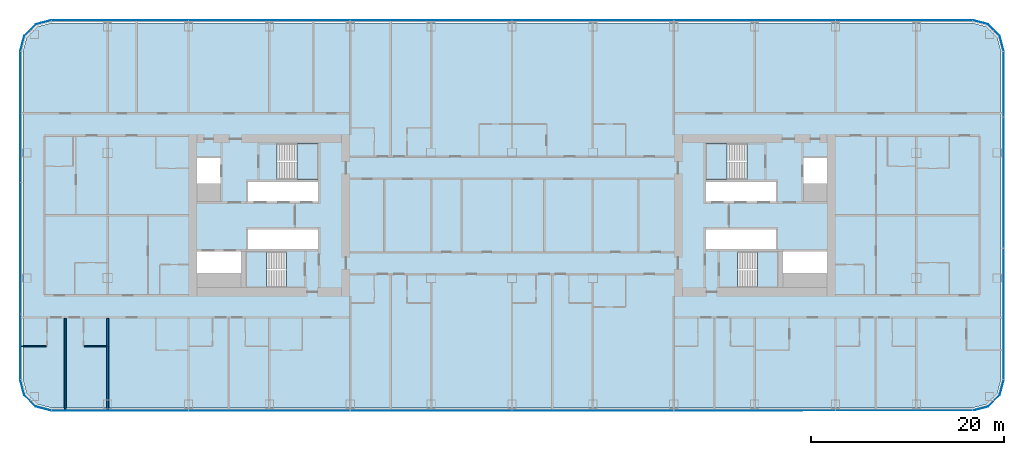
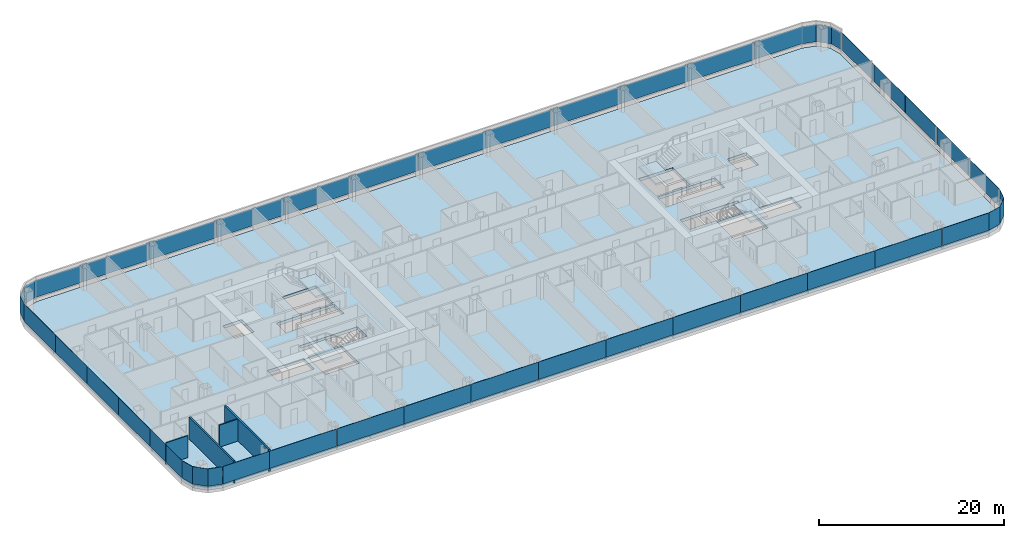
# One storey, part 12 of 29: 38 plates, 5 slabs, 4 walls, 12 elements without a shape of their own.
"""IFC4 building model written with IfcOpenShell, lengths in metres."""

from ifc_helpers import new_model, si_unit, direction, frame, frame_2d, origin, origin_2d, place, context, subcontext, project, spatial, polyline, rectangle, outline, extrude, material, layer, layer_set, type_object, element, aggregate, save


model = new_model("IFC4")

# Units and contexts
model_context = context("Model", 3, precision=1e-05, world=origin(), true_north=direction((0.0, 1.0)))
body_context = subcontext(model_context, "Body", "Model", "MODEL_VIEW")
ifc_project = project(units=[si_unit("LENGTHUNIT", "METRE"), si_unit("AREAUNIT", "SQUARE_METRE"), si_unit("VOLUMEUNIT", "CUBIC_METRE"), si_unit("PLANEANGLEUNIT", "RADIAN"), si_unit("MASSUNIT", "GRAM", prefix="KILO")], contexts=[model_context])

# Site, building, storey
site_placement = place(None, origin())
site = spatial("IfcSite", under=ifc_project, at=site_placement, CompositionType="ELEMENT")
building_placement = place(site_placement, origin())
building = spatial("IfcBuilding", under=site, at=building_placement, Name="Hakoniwa Tower and Hamabe Station Hall", CompositionType="ELEMENT")
storey_placement = place(building_placement, frame((0.0, 0.0, 61.39990234375)))
storey = spatial("IfcBuildingStorey", under=building, at=storey_placement, Name="L17", CompositionType="ELEMENT", Elevation=61.39990234375)

# Stair, slab
ifc_material_1 = material(Name="Concrete C40", Category="concrete")
stair_type = type_object("IfcStairType", Name="ESCAPE STAIR 1800", PredefinedType="HALF_TURN_STAIR", material=ifc_material_1)
stair_1_placement = place(storey_placement, origin())
stair_1 = element("IfcStair", 1, at=stair_1_placement, inside=storey, type_object=stair_type, Name="Escape stair ST-1 L17", PredefinedType="HALF_TURN_STAIR")
ifc_material_2 = material(Name="Concrete C40", Category="concrete")
ifc_layer_1 = layer(ifc_material_2, 0.25)
ifc_layer_set_1 = layer_set([ifc_layer_1], Name="CORE STAIR LANDING 250")
slab_type_1 = type_object("IfcSlabType", Name="CORE STAIR LANDING 250", PredefinedType="LANDING", material=ifc_layer_set_1)
slab_1_placement = place(storey_placement, frame((0.0, 0.0, 1.35009765625)))
slab_1 = element("IfcSlab", 2, at=slab_1_placement, type_object=slab_type_1, Name="ST-1 landing 1", PredefinedType="LANDING", context=body_context, shape_type="SweptSolid", body=[
    extrude(outline(polyline([(-22.320068359375, 3.75), (-20.14990234375, 3.75), (-20.14990234375, 7.5), (-22.320068359375, 7.5), (-22.320068359375, 3.75)])), origin(), (0.0, 0.0, 1.0), 0.25),
])
aggregate(stair_1, [slab_1])

stair_2_placement = place(storey_placement, origin())
stair_2 = element("IfcStair", 3, at=stair_2_placement, inside=storey, type_object=stair_type, Name="Escape stair ST-2 L17", PredefinedType="HALF_TURN_STAIR")
slab_2_placement = place(storey_placement, frame((0.0, 0.0, 1.35009765625)))
slab_2 = element("IfcSlab", 4, at=slab_2_placement, type_object=slab_type_1, Name="ST-2 landing 1", PredefinedType="LANDING", context=body_context, shape_type="SweptSolid", body=[
    extrude(outline(polyline([(-25.47998046875, -7.5), (-27.64990234375, -7.5), (-27.64990234375, -3.75), (-25.47998046875, -3.75), (-25.47998046875, -7.5)])), origin(), (0.0, 0.0, 1.0), 0.25),
])
aggregate(stair_2, [slab_2])

stair_3_placement = place(storey_placement, origin())
stair_3 = element("IfcStair", 5, at=stair_3_placement, inside=storey, type_object=stair_type, Name="Escape stair ST-3 L17", PredefinedType="HALF_TURN_STAIR")
slab_3_placement = place(storey_placement, frame((0.0, 0.0, 1.35009765625)))
slab_3 = element("IfcSlab", 6, at=slab_3_placement, type_object=slab_type_1, Name="ST-3 landing 1", PredefinedType="LANDING", context=body_context, shape_type="SweptSolid", body=[
    extrude(outline(polyline([(22.320068359375, 3.75), (20.14990234375, 3.75), (20.14990234375, 7.5), (22.320068359375, 7.5), (22.320068359375, 3.75)])), origin(), (0.0, 0.0, 1.0), 0.25),
])
aggregate(stair_3, [slab_3])

stair_4_placement = place(storey_placement, origin())
stair_4 = element("IfcStair", 7, at=stair_4_placement, inside=storey, type_object=stair_type, Name="Escape stair ST-4 L17", PredefinedType="HALF_TURN_STAIR")
slab_4_placement = place(storey_placement, frame((0.0, 0.0, 1.35009765625)))
slab_4 = element("IfcSlab", 8, at=slab_4_placement, type_object=slab_type_1, Name="ST-4 landing 1", PredefinedType="LANDING", context=body_context, shape_type="SweptSolid", body=[
    extrude(outline(polyline([(25.47998046875, -7.5), (27.64990234375, -7.5), (27.64990234375, -3.75), (25.47998046875, -3.75), (25.47998046875, -7.5)])), origin(), (0.0, 0.0, 1.0), 0.25),
])
aggregate(stair_4, [slab_4])

# Curtain wall, plates
ifc_material_3 = material(Name="Dark low-e laminated glass", Category="glass")
ifc_layer_2 = layer(ifc_material_3, 0.199951171875)
ifc_layer_set_2 = layer_set([ifc_layer_2], Name="CW-1 UNITISED GUEST")
curtain_wall_type = type_object("IfcCurtainWallType", Name="CW-1 UNITISED GUEST", PredefinedType="NOTDEFINED", material=ifc_layer_set_2)
curtain_wall_1_placement = place(storey_placement, origin())
curtain_wall_1 = element("IfcCurtainWall", 9, at=curtain_wall_1_placement, inside=storey, type_object=curtain_wall_type, Name="CW-1 curtain wall", PredefinedType="NOTDEFINED")
ifc_material_4 = material(Name="Dark low-e laminated glass", Category="glass")
ifc_layer_3 = layer(ifc_material_4, 0.028076171875)
ifc_layer_set_3 = layer_set([ifc_layer_3], Name="CW-1 GLASS UNIT")
plate_type = type_object("IfcPlateType", Name="CW-1 GLASS UNIT", PredefinedType="CURTAIN_PANEL", material=ifc_layer_set_3)
plate_1_placement = place(storey_placement, frame((51.0859375, -13.631591796875, 0.35009765625), z_axis=(0.0, 0.0, 1.0), x_axis=(0.0, 1.0, 0.0)))
plate_1 = element("IfcPlate", 10, at=plate_1_placement, type_object=plate_type, Name="CW-1 glass unit", PredefinedType="CURTAIN_PANEL", context=body_context, shape_type="SweptSolid", body=[
    extrude(rectangle(XDim=6.7958984375, YDim=0.028076171875, at=origin_2d()), origin(), (0.0, 0.0, 1.0), 2.300048828125),
])
plate_2_placement = place(storey_placement, frame((51.0859375, -6.81591796875, 0.35009765625), z_axis=(0.0, 0.0, 1.0), x_axis=(0.0, 1.0, 0.0)))
plate_2 = element("IfcPlate", 11, at=plate_2_placement, type_object=plate_type, Name="CW-1 glass unit", PredefinedType="CURTAIN_PANEL", context=body_context, shape_type="SweptSolid", body=[
    extrude(rectangle(XDim=6.7958984375, YDim=0.028076171875, at=origin_2d()), origin(), (0.0, 0.0, 1.0), 2.300048828125),
])
plate_3_placement = place(storey_placement, frame((51.0859375, 0.0, 0.35009765625), z_axis=(0.0, 0.0, 1.0), x_axis=(0.0, 1.0, 0.0)))
plate_3 = element("IfcPlate", 12, at=plate_3_placement, type_object=plate_type, Name="CW-1 glass unit", PredefinedType="CURTAIN_PANEL", context=body_context, shape_type="SweptSolid", body=[
    extrude(rectangle(XDim=6.7958984375, YDim=0.028076171875, at=origin_2d()), origin(), (0.0, 0.0, 1.0), 2.300048828125),
])
plate_4_placement = place(storey_placement, frame((51.0859375, 6.81591796875, 0.35009765625), z_axis=(0.0, 0.0, 1.0), x_axis=(0.0, 1.0, 0.0)))
plate_4 = element("IfcPlate", 13, at=plate_4_placement, type_object=plate_type, Name="CW-1 glass unit", PredefinedType="CURTAIN_PANEL", context=body_context, shape_type="SweptSolid", body=[
    extrude(rectangle(XDim=6.7958984375, YDim=0.028076171875, at=origin_2d()), origin(), (0.0, 0.0, 1.0), 2.300048828125),
])
plate_5_placement = place(storey_placement, frame((51.0859375, 13.631591796875, 0.35009765625), z_axis=(0.0, 0.0, 1.0), x_axis=(0.0, 1.0, 0.0)))
plate_5 = element("IfcPlate", 14, at=plate_5_placement, type_object=plate_type, Name="CW-1 glass unit", PredefinedType="CURTAIN_PANEL", context=body_context, shape_type="SweptSolid", body=[
    extrude(rectangle(XDim=6.7958984375, YDim=0.028076171875, at=origin_2d()), origin(), (0.0, 0.0, 1.0), 2.300048828125),
])
aggregate(curtain_wall_1, [plate_1, plate_2, plate_3, plate_4, plate_5])

# Curtain wall, plate
curtain_wall_2_placement = place(storey_placement, origin())
curtain_wall_2 = element("IfcCurtainWall", 15, at=curtain_wall_2_placement, inside=storey, type_object=curtain_wall_type, Name="CW-1 curtain wall", PredefinedType="NOTDEFINED")
plate_6_placement = place(storey_placement, frame((0.0, 0.0, 0.35009765625)))
plate_6 = element("IfcPlate", 16, at=plate_6_placement, type_object=plate_type, Name="CW-1 curved corner unit", PredefinedType="CURTAIN_PANEL", context=body_context, shape_type="SweptSolid", body=[
    extrude(outline(polyline([(51.089599609375, 17.078125), (50.6669921875, 18.6552734375), (49.455322265625, 19.866943359375), (47.878173828125, 20.28955078125), (47.870849609375, 20.2626953125), (49.44091796875, 19.842041015625), (50.641845703125, 18.640869140625), (51.0625, 17.07080078125), (51.089599609375, 17.078125)])), origin(), (0.0, 0.0, 1.0), 2.300048828125),
])
aggregate(curtain_wall_2, [plate_6])

# Curtain wall, plates
curtain_wall_3_placement = place(storey_placement, origin())
curtain_wall_3 = element("IfcCurtainWall", 17, at=curtain_wall_3_placement, inside=storey, type_object=curtain_wall_type, Name="CW-1 curtain wall", PredefinedType="NOTDEFINED")
plate_7_placement = place(storey_placement, frame((44.919677734375, 20.285888671875, 0.35009765625), z_axis=(0.0, 0.0, 1.0), x_axis=(-1.0, 0.0, 0.0)))
plate_7 = element("IfcPlate", 18, at=plate_7_placement, type_object=plate_type, Name="CW-1 glass unit", PredefinedType="CURTAIN_PANEL", context=body_context, shape_type="SweptSolid", body=[
    extrude(rectangle(XDim=5.819580078125, YDim=0.028076171875, at=origin_2d()), origin(), (0.0, 0.0, 1.0), 2.300048828125),
])
plate_8_placement = place(storey_placement, frame((37.800048828125, 20.285888671875, 0.35009765625), z_axis=(0.0, 0.0, 1.0), x_axis=(-1.0, 0.0, 0.0)))
plate_8 = element("IfcPlate", 19, at=plate_8_placement, type_object=plate_type, Name="CW-1 glass unit", PredefinedType="CURTAIN_PANEL", context=body_context, shape_type="SweptSolid", body=[
    extrude(rectangle(XDim=8.3798828125, YDim=0.028076171875, at=origin_2d()), origin(), (0.0, 0.0, 1.0), 2.300048828125),
])
plate_9_placement = place(storey_placement, frame((29.39990234375, 20.285888671875, 0.35009765625), z_axis=(0.0, 0.0, 1.0), x_axis=(-1.0, 0.0, 0.0)))
plate_9 = element("IfcPlate", 20, at=plate_9_placement, type_object=plate_type, Name="CW-1 glass unit", PredefinedType="CURTAIN_PANEL", context=body_context, shape_type="SweptSolid", body=[
    extrude(rectangle(XDim=8.3798828125, YDim=0.028076171875, at=origin_2d()), origin(), (0.0, 0.0, 1.0), 2.300048828125),
])
plate_10_placement = place(storey_placement, frame((21.0, 20.285888671875, 0.35009765625), z_axis=(0.0, 0.0, 1.0), x_axis=(-1.0, 0.0, 0.0)))
plate_10 = element("IfcPlate", 21, at=plate_10_placement, type_object=plate_type, Name="CW-1 glass unit", PredefinedType="CURTAIN_PANEL", context=body_context, shape_type="SweptSolid", body=[
    extrude(rectangle(XDim=8.3798828125, YDim=0.028076171875, at=origin_2d()), origin(), (0.0, 0.0, 1.0), 2.300048828125),
])
plate_11_placement = place(storey_placement, frame((12.60009765625, 20.285888671875, 0.35009765625), z_axis=(0.0, 0.0, 1.0), x_axis=(-1.0, 0.0, 0.0)))
plate_11 = element("IfcPlate", 22, at=plate_11_placement, type_object=plate_type, Name="CW-1 glass unit", PredefinedType="CURTAIN_PANEL", context=body_context, shape_type="SweptSolid", body=[
    extrude(rectangle(XDim=8.3798828125, YDim=0.028076171875, at=origin_2d()), origin(), (0.0, 0.0, 1.0), 2.300048828125),
])
plate_12_placement = place(storey_placement, frame((4.199951171875, 20.285888671875, 0.35009765625), z_axis=(0.0, 0.0, 1.0), x_axis=(-1.0, 0.0, 0.0)))
plate_12 = element("IfcPlate", 23, at=plate_12_placement, type_object=plate_type, Name="CW-1 glass unit", PredefinedType="CURTAIN_PANEL", context=body_context, shape_type="SweptSolid", body=[
    extrude(rectangle(XDim=8.3798828125, YDim=0.028076171875, at=origin_2d()), origin(), (0.0, 0.0, 1.0), 2.300048828125),
])
plate_13_placement = place(storey_placement, frame((-4.199951171875, 20.285888671875, 0.35009765625), z_axis=(0.0, 0.0, 1.0), x_axis=(-1.0, 0.0, 0.0)))
plate_13 = element("IfcPlate", 24, at=plate_13_placement, type_object=plate_type, Name="CW-1 glass unit", PredefinedType="CURTAIN_PANEL", context=body_context, shape_type="SweptSolid", body=[
    extrude(rectangle(XDim=8.3798828125, YDim=0.028076171875, at=origin_2d()), origin(), (0.0, 0.0, 1.0), 2.300048828125),
])
plate_14_placement = place(storey_placement, frame((-12.60009765625, 20.285888671875, 0.35009765625), z_axis=(0.0, 0.0, 1.0), x_axis=(-1.0, 0.0, 0.0)))
plate_14 = element("IfcPlate", 25, at=plate_14_placement, type_object=plate_type, Name="CW-1 glass unit", PredefinedType="CURTAIN_PANEL", context=body_context, shape_type="SweptSolid", body=[
    extrude(rectangle(XDim=8.3798828125, YDim=0.028076171875, at=origin_2d()), origin(), (0.0, 0.0, 1.0), 2.300048828125),
])
plate_15_placement = place(storey_placement, frame((-21.0, 20.285888671875, 0.35009765625), z_axis=(0.0, 0.0, 1.0), x_axis=(-1.0, 0.0, 0.0)))
plate_15 = element("IfcPlate", 26, at=plate_15_placement, type_object=plate_type, Name="CW-1 glass unit", PredefinedType="CURTAIN_PANEL", context=body_context, shape_type="SweptSolid", body=[
    extrude(rectangle(XDim=8.3798828125, YDim=0.028076171875, at=origin_2d()), origin(), (0.0, 0.0, 1.0), 2.300048828125),
])
plate_16_placement = place(storey_placement, frame((-29.39990234375, 20.285888671875, 0.35009765625), z_axis=(0.0, 0.0, 1.0), x_axis=(-1.0, 0.0, 0.0)))
plate_16 = element("IfcPlate", 27, at=plate_16_placement, type_object=plate_type, Name="CW-1 glass unit", PredefinedType="CURTAIN_PANEL", context=body_context, shape_type="SweptSolid", body=[
    extrude(rectangle(XDim=8.3798828125, YDim=0.028076171875, at=origin_2d()), origin(), (0.0, 0.0, 1.0), 2.300048828125),
])
plate_17_placement = place(storey_placement, frame((-37.800048828125, 20.285888671875, 0.35009765625), z_axis=(0.0, 0.0, 1.0), x_axis=(-1.0, 0.0, 0.0)))
plate_17 = element("IfcPlate", 28, at=plate_17_placement, type_object=plate_type, Name="CW-1 glass unit", PredefinedType="CURTAIN_PANEL", context=body_context, shape_type="SweptSolid", body=[
    extrude(rectangle(XDim=8.3798828125, YDim=0.028076171875, at=origin_2d()), origin(), (0.0, 0.0, 1.0), 2.300048828125),
])
plate_18_placement = place(storey_placement, frame((-44.919677734375, 20.285888671875, 0.35009765625), z_axis=(0.0, 0.0, 1.0), x_axis=(-1.0, 0.0, 0.0)))
plate_18 = element("IfcPlate", 29, at=plate_18_placement, type_object=plate_type, Name="CW-1 glass unit", PredefinedType="CURTAIN_PANEL", context=body_context, shape_type="SweptSolid", body=[
    extrude(rectangle(XDim=5.819580078125, YDim=0.028076171875, at=origin_2d()), origin(), (0.0, 0.0, 1.0), 2.300048828125),
])
aggregate(curtain_wall_3, [plate_7, plate_8, plate_9, plate_10, plate_11, plate_12, plate_13, plate_14, plate_15, plate_16, plate_17, plate_18])

# Curtain wall, plate
curtain_wall_4_placement = place(storey_placement, origin())
curtain_wall_4 = element("IfcCurtainWall", 30, at=curtain_wall_4_placement, inside=storey, type_object=curtain_wall_type, Name="CW-1 curtain wall", PredefinedType="NOTDEFINED")
plate_19_placement = place(storey_placement, frame((0.0, 0.0, 0.35009765625)))
plate_19 = element("IfcPlate", 31, at=plate_19_placement, type_object=plate_type, Name="CW-1 curved corner unit", PredefinedType="CURTAIN_PANEL", context=body_context, shape_type="SweptSolid", body=[
    extrude(outline(polyline([(-47.878173828125, 20.28955078125), (-49.455322265625, 19.866943359375), (-50.6669921875, 18.6552734375), (-51.089599609375, 17.078125), (-51.0625, 17.07080078125), (-50.641845703125, 18.640869140625), (-49.44091796875, 19.842041015625), (-47.870849609375, 20.2626953125), (-47.878173828125, 20.28955078125)])), origin(), (0.0, 0.0, 1.0), 2.300048828125),
])
aggregate(curtain_wall_4, [plate_19])

# Curtain wall, plates
curtain_wall_5_placement = place(storey_placement, origin())
curtain_wall_5 = element("IfcCurtainWall", 32, at=curtain_wall_5_placement, inside=storey, type_object=curtain_wall_type, Name="CW-1 curtain wall", PredefinedType="NOTDEFINED")
plate_20_placement = place(storey_placement, frame((-51.0859375, 13.631591796875, 0.35009765625), z_axis=(0.0, 0.0, 1.0), x_axis=(0.0, -1.0, 0.0)))
plate_20 = element("IfcPlate", 33, at=plate_20_placement, type_object=plate_type, Name="CW-1 glass unit", PredefinedType="CURTAIN_PANEL", context=body_context, shape_type="SweptSolid", body=[
    extrude(rectangle(XDim=6.7958984375, YDim=0.028076171875, at=origin_2d()), origin(), (0.0, 0.0, 1.0), 2.300048828125),
])
plate_21_placement = place(storey_placement, frame((-51.0859375, 6.81591796875, 0.35009765625), z_axis=(0.0, 0.0, 1.0), x_axis=(0.0, -1.0, 0.0)))
plate_21 = element("IfcPlate", 34, at=plate_21_placement, type_object=plate_type, Name="CW-1 glass unit", PredefinedType="CURTAIN_PANEL", context=body_context, shape_type="SweptSolid", body=[
    extrude(rectangle(XDim=6.7958984375, YDim=0.028076171875, at=origin_2d()), origin(), (0.0, 0.0, 1.0), 2.300048828125),
])
plate_22_placement = place(storey_placement, frame((-51.0859375, 0.0, 0.35009765625), z_axis=(0.0, 0.0, 1.0), x_axis=(0.0, -1.0, 0.0)))
plate_22 = element("IfcPlate", 35, at=plate_22_placement, type_object=plate_type, Name="CW-1 glass unit", PredefinedType="CURTAIN_PANEL", context=body_context, shape_type="SweptSolid", body=[
    extrude(rectangle(XDim=6.7958984375, YDim=0.028076171875, at=origin_2d()), origin(), (0.0, 0.0, 1.0), 2.300048828125),
])
plate_23_placement = place(storey_placement, frame((-51.0859375, -6.81591796875, 0.35009765625), z_axis=(0.0, 0.0, 1.0), x_axis=(0.0, -1.0, 0.0)))
plate_23 = element("IfcPlate", 36, at=plate_23_placement, type_object=plate_type, Name="CW-1 glass unit", PredefinedType="CURTAIN_PANEL", context=body_context, shape_type="SweptSolid", body=[
    extrude(rectangle(XDim=6.7958984375, YDim=0.028076171875, at=origin_2d()), origin(), (0.0, 0.0, 1.0), 2.300048828125),
])
plate_24_placement = place(storey_placement, frame((-51.0859375, -13.631591796875, 0.35009765625), z_axis=(0.0, 0.0, 1.0), x_axis=(0.0, -1.0, 0.0)))
plate_24 = element("IfcPlate", 37, at=plate_24_placement, type_object=plate_type, Name="CW-1 glass unit", PredefinedType="CURTAIN_PANEL", context=body_context, shape_type="SweptSolid", body=[
    extrude(rectangle(XDim=6.7958984375, YDim=0.028076171875, at=origin_2d()), origin(), (0.0, 0.0, 1.0), 2.300048828125),
])
aggregate(curtain_wall_5, [plate_20, plate_21, plate_22, plate_23, plate_24])

# Curtain wall, plate
curtain_wall_6_placement = place(storey_placement, origin())
curtain_wall_6 = element("IfcCurtainWall", 38, at=curtain_wall_6_placement, inside=storey, type_object=curtain_wall_type, Name="CW-1 curtain wall", PredefinedType="NOTDEFINED")
plate_25_placement = place(storey_placement, frame((0.0, 0.0, 0.35009765625)))
plate_25 = element("IfcPlate", 39, at=plate_25_placement, type_object=plate_type, Name="CW-1 curved corner unit", PredefinedType="CURTAIN_PANEL", context=body_context, shape_type="SweptSolid", body=[
    extrude(outline(polyline([(-51.089599609375, -17.078125), (-50.6669921875, -18.6552734375), (-49.455322265625, -19.866943359375), (-47.878173828125, -20.28955078125), (-47.870849609375, -20.2626953125), (-49.44091796875, -19.842041015625), (-50.641845703125, -18.640869140625), (-51.0625, -17.07080078125), (-51.089599609375, -17.078125)])), origin(), (0.0, 0.0, 1.0), 2.300048828125),
])
aggregate(curtain_wall_6, [plate_25])

# Curtain wall, plates
curtain_wall_7_placement = place(storey_placement, origin())
curtain_wall_7 = element("IfcCurtainWall", 40, at=curtain_wall_7_placement, inside=storey, type_object=curtain_wall_type, Name="CW-1 curtain wall", PredefinedType="NOTDEFINED")
plate_26_placement = place(storey_placement, frame((-44.919677734375, -20.285888671875, 0.35009765625), z_axis=(0.0, 0.0, 1.0), x_axis=(1.0, 0.0, 0.0)))
plate_26 = element("IfcPlate", 41, at=plate_26_placement, type_object=plate_type, Name="CW-1 glass unit", PredefinedType="CURTAIN_PANEL", context=body_context, shape_type="SweptSolid", body=[
    extrude(rectangle(XDim=5.819580078125, YDim=0.028076171875, at=origin_2d()), origin(), (0.0, 0.0, 1.0), 2.300048828125),
])
plate_27_placement = place(storey_placement, frame((-37.800048828125, -20.285888671875, 0.35009765625), z_axis=(0.0, 0.0, 1.0), x_axis=(1.0, 0.0, 0.0)))
plate_27 = element("IfcPlate", 42, at=plate_27_placement, type_object=plate_type, Name="CW-1 glass unit", PredefinedType="CURTAIN_PANEL", context=body_context, shape_type="SweptSolid", body=[
    extrude(rectangle(XDim=8.3798828125, YDim=0.028076171875, at=origin_2d()), origin(), (0.0, 0.0, 1.0), 2.300048828125),
])
plate_28_placement = place(storey_placement, frame((-29.39990234375, -20.285888671875, 0.35009765625), z_axis=(0.0, 0.0, 1.0), x_axis=(1.0, 0.0, 0.0)))
plate_28 = element("IfcPlate", 43, at=plate_28_placement, type_object=plate_type, Name="CW-1 glass unit", PredefinedType="CURTAIN_PANEL", context=body_context, shape_type="SweptSolid", body=[
    extrude(rectangle(XDim=8.3798828125, YDim=0.028076171875, at=origin_2d()), origin(), (0.0, 0.0, 1.0), 2.300048828125),
])
plate_29_placement = place(storey_placement, frame((-21.0, -20.285888671875, 0.35009765625), z_axis=(0.0, 0.0, 1.0), x_axis=(1.0, 0.0, 0.0)))
plate_29 = element("IfcPlate", 44, at=plate_29_placement, type_object=plate_type, Name="CW-1 glass unit", PredefinedType="CURTAIN_PANEL", context=body_context, shape_type="SweptSolid", body=[
    extrude(rectangle(XDim=8.3798828125, YDim=0.028076171875, at=origin_2d()), origin(), (0.0, 0.0, 1.0), 2.300048828125),
])
plate_30_placement = place(storey_placement, frame((-12.60009765625, -20.285888671875, 0.35009765625), z_axis=(0.0, 0.0, 1.0), x_axis=(1.0, 0.0, 0.0)))
plate_30 = element("IfcPlate", 45, at=plate_30_placement, type_object=plate_type, Name="CW-1 glass unit", PredefinedType="CURTAIN_PANEL", context=body_context, shape_type="SweptSolid", body=[
    extrude(rectangle(XDim=8.3798828125, YDim=0.028076171875, at=origin_2d()), origin(), (0.0, 0.0, 1.0), 2.300048828125),
])
plate_31_placement = place(storey_placement, frame((-4.199951171875, -20.285888671875, 0.35009765625), z_axis=(0.0, 0.0, 1.0), x_axis=(1.0, 0.0, 0.0)))
plate_31 = element("IfcPlate", 46, at=plate_31_placement, type_object=plate_type, Name="CW-1 glass unit", PredefinedType="CURTAIN_PANEL", context=body_context, shape_type="SweptSolid", body=[
    extrude(rectangle(XDim=8.3798828125, YDim=0.028076171875, at=origin_2d()), origin(), (0.0, 0.0, 1.0), 2.300048828125),
])
plate_32_placement = place(storey_placement, frame((4.199951171875, -20.285888671875, 0.35009765625), z_axis=(0.0, 0.0, 1.0), x_axis=(1.0, 0.0, 0.0)))
plate_32 = element("IfcPlate", 47, at=plate_32_placement, type_object=plate_type, Name="CW-1 glass unit", PredefinedType="CURTAIN_PANEL", context=body_context, shape_type="SweptSolid", body=[
    extrude(rectangle(XDim=8.3798828125, YDim=0.028076171875, at=origin_2d()), origin(), (0.0, 0.0, 1.0), 2.300048828125),
])
plate_33_placement = place(storey_placement, frame((12.60009765625, -20.285888671875, 0.35009765625), z_axis=(0.0, 0.0, 1.0), x_axis=(1.0, 0.0, 0.0)))
plate_33 = element("IfcPlate", 48, at=plate_33_placement, type_object=plate_type, Name="CW-1 glass unit", PredefinedType="CURTAIN_PANEL", context=body_context, shape_type="SweptSolid", body=[
    extrude(rectangle(XDim=8.3798828125, YDim=0.028076171875, at=origin_2d()), origin(), (0.0, 0.0, 1.0), 2.300048828125),
])
plate_34_placement = place(storey_placement, frame((21.0, -20.285888671875, 0.35009765625), z_axis=(0.0, 0.0, 1.0), x_axis=(1.0, 0.0, 0.0)))
plate_34 = element("IfcPlate", 49, at=plate_34_placement, type_object=plate_type, Name="CW-1 glass unit", PredefinedType="CURTAIN_PANEL", context=body_context, shape_type="SweptSolid", body=[
    extrude(rectangle(XDim=8.3798828125, YDim=0.028076171875, at=origin_2d()), origin(), (0.0, 0.0, 1.0), 2.300048828125),
])
plate_35_placement = place(storey_placement, frame((29.39990234375, -20.285888671875, 0.35009765625), z_axis=(0.0, 0.0, 1.0), x_axis=(1.0, 0.0, 0.0)))
plate_35 = element("IfcPlate", 50, at=plate_35_placement, type_object=plate_type, Name="CW-1 glass unit", PredefinedType="CURTAIN_PANEL", context=body_context, shape_type="SweptSolid", body=[
    extrude(rectangle(XDim=8.3798828125, YDim=0.028076171875, at=origin_2d()), origin(), (0.0, 0.0, 1.0), 2.300048828125),
])
plate_36_placement = place(storey_placement, frame((37.800048828125, -20.285888671875, 0.35009765625), z_axis=(0.0, 0.0, 1.0), x_axis=(1.0, 0.0, 0.0)))
plate_36 = element("IfcPlate", 51, at=plate_36_placement, type_object=plate_type, Name="CW-1 glass unit", PredefinedType="CURTAIN_PANEL", context=body_context, shape_type="SweptSolid", body=[
    extrude(rectangle(XDim=8.3798828125, YDim=0.028076171875, at=origin_2d()), origin(), (0.0, 0.0, 1.0), 2.300048828125),
])
plate_37_placement = place(storey_placement, frame((44.919677734375, -20.285888671875, 0.35009765625), z_axis=(0.0, 0.0, 1.0), x_axis=(1.0, 0.0, 0.0)))
plate_37 = element("IfcPlate", 52, at=plate_37_placement, type_object=plate_type, Name="CW-1 glass unit", PredefinedType="CURTAIN_PANEL", context=body_context, shape_type="SweptSolid", body=[
    extrude(rectangle(XDim=5.819580078125, YDim=0.028076171875, at=origin_2d()), origin(), (0.0, 0.0, 1.0), 2.300048828125),
])
aggregate(curtain_wall_7, [plate_26, plate_27, plate_28, plate_29, plate_30, plate_31, plate_32, plate_33, plate_34, plate_35, plate_36, plate_37])

# Curtain wall, plate
curtain_wall_8_placement = place(storey_placement, origin())
curtain_wall_8 = element("IfcCurtainWall", 53, at=curtain_wall_8_placement, inside=storey, type_object=curtain_wall_type, Name="CW-1 curtain wall", PredefinedType="NOTDEFINED")
plate_38_placement = place(storey_placement, frame((0.0, 0.0, 0.35009765625)))
plate_38 = element("IfcPlate", 54, at=plate_38_placement, type_object=plate_type, Name="CW-1 curved corner unit", PredefinedType="CURTAIN_PANEL", context=body_context, shape_type="SweptSolid", body=[
    extrude(outline(polyline([(47.878173828125, -20.28955078125), (49.455322265625, -19.866943359375), (50.6669921875, -18.6552734375), (51.089599609375, -17.078125), (51.0625, -17.07080078125), (50.641845703125, -18.640869140625), (49.44091796875, -19.842041015625), (47.870849609375, -20.2626953125), (47.878173828125, -20.28955078125)])), origin(), (0.0, 0.0, 1.0), 2.300048828125),
])
aggregate(curtain_wall_8, [plate_38])

# Slab
ifc_material_5 = material(Name="Concrete C42", Category="concrete")
ifc_layer_4 = layer(ifc_material_5, 0.39990234375)
ifc_layer_set_4 = layer_set([ifc_layer_4], Name="PT FLAT PLATE 400")
slab_type_2 = type_object("IfcSlabType", Name="PT FLAT PLATE 400", PredefinedType="FLOOR", material=ifc_layer_set_4)
slab_5_placement = place(storey_placement, frame((0.0, 0.0, -0.39990234375)))
element("IfcSlab", 55, at=slab_5_placement, inside=storey, type_object=slab_type_2, Name="Floor slab L17", PredefinedType="FLOOR", context=body_context, shape_type="SweptSolid", body=[
    extrude(outline(polyline([(50.800048828125, -17.0), (50.800048828125, 17.0), (50.398193359375, 18.5), (49.300048828125, 19.59814453125), (47.800048828125, 20.0), (-47.800048828125, 20.0), (-49.300048828125, 19.59814453125), (-50.398193359375, 18.5), (-50.800048828125, 17.0), (-50.800048828125, -17.0), (-50.398193359375, -18.5), (-49.300048828125, -19.59814453125), (-47.800048828125, -20.0), (47.800048828125, -20.0), (49.300048828125, -19.59814453125), (50.398193359375, -18.5), (50.800048828125, -17.0)]), holes=[polyline([(-27.39990234375, 1.449951171875), (-27.39990234375, 3.5), (-20.14990234375, 3.5), (-20.14990234375, 1.449951171875), (-27.39990234375, 1.449951171875)]), polyline([(-27.39990234375, -3.5), (-27.39990234375, -1.449951171875), (-20.14990234375, -1.449951171875), (-20.14990234375, -3.5), (-27.39990234375, -3.5)]), polyline([(-32.699951171875, 3.300048828125), (-32.699951171875, 5.949951171875), (-30.300048828125, 5.949951171875), (-30.300048828125, 3.300048828125), (-32.699951171875, 3.300048828125)]), polyline([(-32.699951171875, -6.0), (-32.699951171875, -3.75), (-28.14990234375, -3.75), (-28.14990234375, -6.0), (-32.699951171875, -6.0)]), polyline([(-24.389892578125, 3.75), (-24.389892578125, 7.5), (-20.14990234375, 7.5), (-20.14990234375, 3.75), (-24.389892578125, 3.75)]), polyline([(-27.64990234375, -7.5), (-27.64990234375, -3.75), (-23.409912109375, -3.75), (-23.409912109375, -7.5), (-27.64990234375, -7.5)]), polyline([(20.14990234375, 1.449951171875), (20.14990234375, 3.5), (27.39990234375, 3.5), (27.39990234375, 1.449951171875), (20.14990234375, 1.449951171875)]), polyline([(20.14990234375, -3.5), (20.14990234375, -1.449951171875), (27.39990234375, -1.449951171875), (27.39990234375, -3.5), (20.14990234375, -3.5)]), polyline([(30.300048828125, 3.300048828125), (30.300048828125, 5.949951171875), (32.699951171875, 5.949951171875), (32.699951171875, 3.300048828125), (30.300048828125, 3.300048828125)]), polyline([(28.14990234375, -6.0), (28.14990234375, -3.75), (32.699951171875, -3.75), (32.699951171875, -6.0), (28.14990234375, -6.0)]), polyline([(20.14990234375, 3.75), (20.14990234375, 7.5), (24.389892578125, 7.5), (24.389892578125, 3.75), (20.14990234375, 3.75)]), polyline([(23.409912109375, -7.5), (23.409912109375, -3.75), (27.64990234375, -3.75), (27.64990234375, -7.5), (23.409912109375, -7.5)])]), origin(), (0.0, 0.0, 1.0), 0.39990234375),
])

# Walls
ifc_material_6 = material(Name="Gypsum board partition", Category="gypsum")
ifc_layer_5 = layer(ifc_material_6, 0.125)
ifc_layer_set_5 = layer_set([ifc_layer_5], Name="Bathroom Partition 125")
wall_type_1 = type_object("IfcWallType", Name="Bathroom Partition 125", PredefinedType="PARTITIONING", material=ifc_layer_set_5)
wall_1_placement = place(storey_placement, frame((-51.10009765625, -13.60009765625, 0.0), z_axis=(0.0, 0.0, 1.0), x_axis=(1.0, 0.0, 0.0)))
element("IfcWall", 56, at=wall_1_placement, inside=storey, type_object=wall_type_1, Name="GW-L17-005", PredefinedType="PARTITIONING", context=body_context, shape_type="SweptSolid", body=[
    extrude(rectangle(XDim=2.737548828125, YDim=0.125, at=frame_2d((1.36865234375, 0.0))), origin(), (0.0, 0.0, 1.0), 2.900146484375),
])
wall_2_placement = place(storey_placement, frame((-44.4375, -13.60009765625, 0.0), z_axis=(0.0, 0.0, 1.0), x_axis=(1.0, 0.0, 0.0)))
element("IfcWall", 57, at=wall_2_placement, inside=storey, type_object=wall_type_1, Name="GW-L17-006", PredefinedType="PARTITIONING", context=body_context, shape_type="SweptSolid", body=[
    extrude(rectangle(XDim=2.33740234375, YDim=0.125, at=frame_2d((1.168701171875, 0.0))), origin(), (0.0, 0.0, 1.0), 2.900146484375),
])
ifc_material_7 = material(Name="Fire-rated gypsum board partition", Category="gypsum")
ifc_layer_6 = layer(ifc_material_7, 0.199951171875)
ifc_layer_set_6 = layer_set([ifc_layer_6], Name="Party Wall 200")
wall_type_2 = type_object("IfcWallType", Name="Party Wall 200", PredefinedType="PARTITIONING", material=ifc_layer_set_6)
for number, where, z_axis, x_axis, name in (
    (58, (-46.39990234375, -20.300048828125, 0.0), (0.0, 0.0, 1.0), (0.0, 1.0, 0.0), "GW-L17-046"),
    (59, (-42.0, -20.300048828125, 0.0), (0.0, 0.0, 1.0), (0.0, 1.0, 0.0), "GW-L17-051"),
):
    element("IfcWall", number, at=place(storey_placement, frame(where, z_axis=z_axis, x_axis=x_axis)), inside=storey, type_object=wall_type_2, Name=name, PredefinedType="PARTITIONING", context=body_context, shape_type="SweptSolid", body=[
        extrude(rectangle(XDim=9.60009765625, YDim=0.199951171875, at=frame_2d((4.800048828125, 0.0))), origin(), (0.0, 0.0, 1.0), 2.900146484375),
    ])

save(model, "model.ifc")
